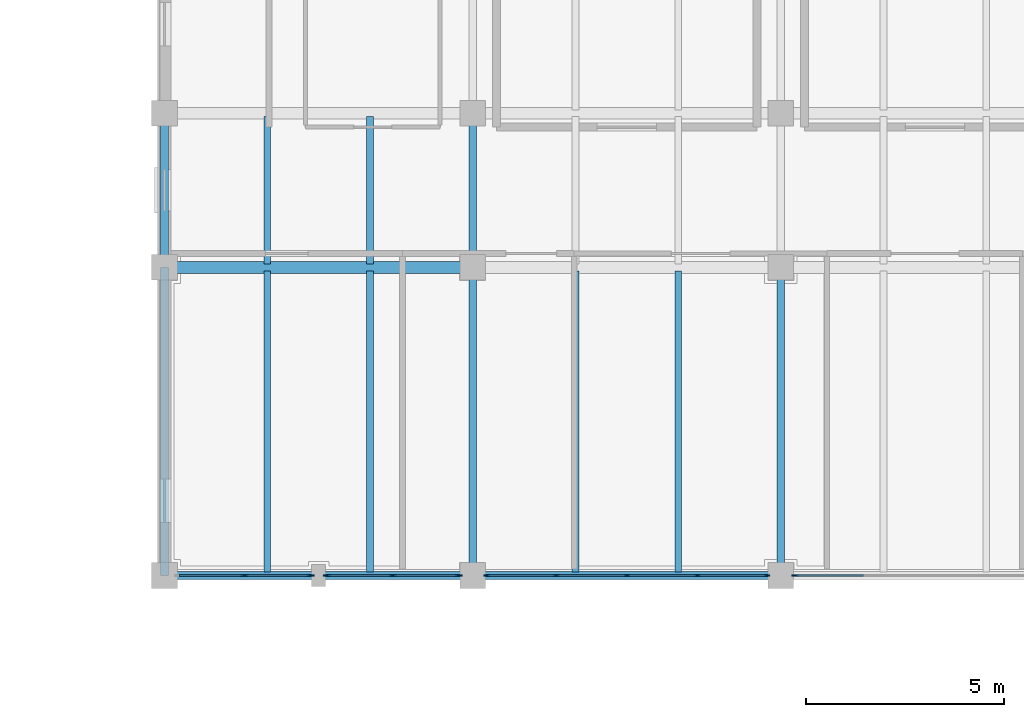
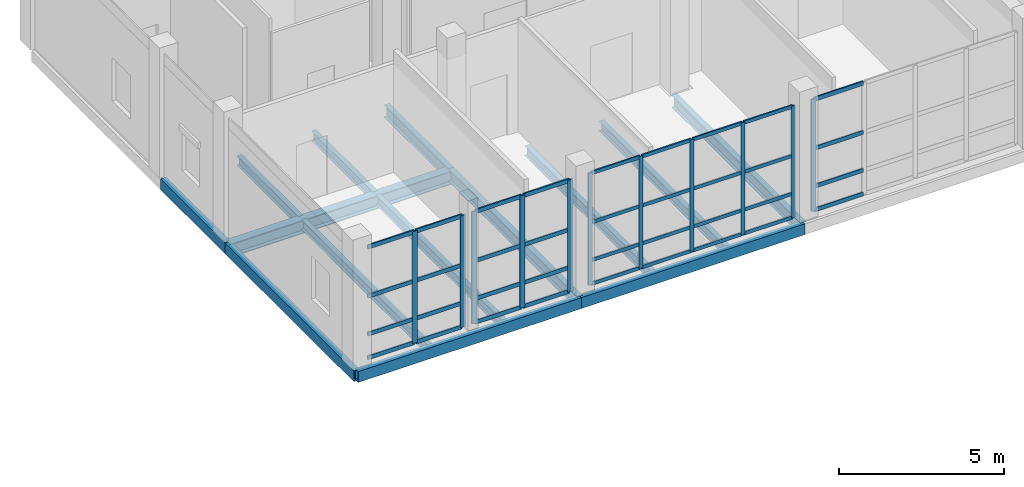
# One storey, part 47 of 131: 47 members, 14 beams, 4 elements without a shape of their own.
"""IFC4 building model written with IfcOpenShell, lengths in metres."""

from ifc_helpers import new_model, si_unit, direction, frame, origin, origin_2d, place, context, subcontext, project, spatial, rectangle, hollow_rectangle, i_section, extrude, material, layer, layer_set, material_profile, profile_set, type_object, element, aggregate, save


model = new_model("IFC4")

# Units and contexts
model_context = context("Model", 3, precision=1e-05, world=origin(), true_north=direction((0.0, 1.0)))
body_context = subcontext(model_context, "Body", "Model", "MODEL_VIEW")
ifc_project = project(units=[si_unit("LENGTHUNIT", "METRE"), si_unit("AREAUNIT", "SQUARE_METRE"), si_unit("VOLUMEUNIT", "CUBIC_METRE"), si_unit("PLANEANGLEUNIT", "RADIAN"), si_unit("MASSUNIT", "GRAM", prefix="KILO")], contexts=[model_context])

# Site, building, storey
site_placement = place(None, origin())
site = spatial("IfcSite", under=ifc_project, at=site_placement, CompositionType="ELEMENT")
building_placement = place(site_placement, origin())
building = spatial("IfcBuilding", under=site, at=building_placement, Name="Celorna Specialist Clinic", CompositionType="ELEMENT")
storey_placement = place(building_placement, origin())
storey = spatial("IfcBuildingStorey", under=building, at=storey_placement, Name="L00", CompositionType="ELEMENT", Elevation=0.0)

# Beams
ifc_material_1 = material(Name="Steel S355", Category="steel")
ifc_material_profile_1 = material_profile(ifc_material_1, i_section(OverallWidth=0.18994140625, OverallDepth=0.449951171875, WebThickness=0.009521484375, FlangeThickness=0.0146484375, at=origin_2d()), Name="IPE 450")
ifc_profile_set_1 = profile_set([ifc_material_profile_1], Name="Steel S355")
beam_type_1 = type_object("IfcBeamType", Name="BM-09", PredefinedType="BEAM", material=ifc_profile_set_1)
beam_1_placement = place(storey_placement, frame((54.60009765625, 96.5, -0.52490234375), z_axis=(0.0, 1.0, 0.0), x_axis=(-1.0, 0.0, 0.0)))
element("IfcBeam", 1, at=beam_1_placement, inside=storey, type_object=beam_type_1, Name="Transverse girder BM-09 #733", PredefinedType="BEAM", context=body_context, shape_type="SweptSolid", body=[
    extrude(i_section(OverallWidth=0.18994140625, OverallDepth=0.449951171875, WebThickness=0.009521484375, FlangeThickness=0.0146484375, at=origin_2d()), origin(), (0.0, 0.0, 1.0), 7.800048828125),
])
beam_2_placement = place(storey_placement, frame((54.60009765625, 104.300048828125, -0.52490234375), z_axis=(0.0, 1.0, 0.0), x_axis=(-1.0, 0.0, 0.0)))
element("IfcBeam", 2, at=beam_2_placement, inside=storey, type_object=beam_type_1, Name="Transverse girder BM-09 #734", PredefinedType="BEAM", context=body_context, shape_type="SweptSolid", body=[
    extrude(i_section(OverallWidth=0.18994140625, OverallDepth=0.449951171875, WebThickness=0.009521484375, FlangeThickness=0.0146484375, at=origin_2d()), origin(), (0.0, 0.0, 1.0), 3.89990234375),
])
beam_3_placement = place(storey_placement, frame((62.39990234375, 96.5, -0.52490234375), z_axis=(0.0, 1.0, 0.0), x_axis=(-1.0, 0.0, 0.0)))
element("IfcBeam", 3, at=beam_3_placement, inside=storey, type_object=beam_type_1, Name="Transverse girder BM-09 #736", PredefinedType="BEAM", context=body_context, shape_type="SweptSolid", body=[
    extrude(i_section(OverallWidth=0.18994140625, OverallDepth=0.449951171875, WebThickness=0.009521484375, FlangeThickness=0.0146484375, at=origin_2d()), origin(), (0.0, 0.0, 1.0), 7.800048828125),
])
ifc_material_profile_2 = material_profile(ifc_material_1, i_section(OverallWidth=0.169921875, OverallDepth=0.360107421875, WebThickness=0.008056640625, FlangeThickness=0.0126953125, at=origin_2d()), Name="IPE 360")
ifc_profile_set_2 = profile_set([ifc_material_profile_2], Name="Steel S355")
beam_type_2 = type_object("IfcBeamType", Name="BM-11", PredefinedType="JOIST", material=ifc_profile_set_2)
for number, where, z_axis, x_axis, name in (
    (4, (49.39990234375, 96.587890625, -0.47998046875), (0.0, 1.0, 0.0), (-1.0, 0.0, 0.0), "Secondary floor joist BM-11 #781"),
    (5, (52.0, 96.587890625, -0.47998046875), (0.0, 1.0, 0.0), (-1.0, 0.0, 0.0), "Secondary floor joist BM-11 #782"),
):
    element("IfcBeam", number, at=place(storey_placement, frame(where, z_axis=z_axis, x_axis=x_axis)), inside=storey, type_object=beam_type_2, Name=name, PredefinedType="JOIST", context=body_context, shape_type="SweptSolid", body=[
        extrude(i_section(OverallWidth=0.169921875, OverallDepth=0.360107421875, WebThickness=0.008056640625, FlangeThickness=0.0126953125, at=origin_2d()), origin(), (0.0, 0.0, 1.0), 7.6240234375),
    ])
for number, where, z_axis, x_axis, name in (
    (6, (49.39990234375, 104.387939453125, -0.47998046875), (0.0, 1.0, 0.0), (-1.0, 0.0, 0.0), "Secondary floor joist BM-11 #783"),
    (7, (52.0, 104.387939453125, -0.47998046875), (0.0, 1.0, 0.0), (-1.0, 0.0, 0.0), "Secondary floor joist BM-11 #784"),
):
    element("IfcBeam", number, at=place(storey_placement, frame(where, z_axis=z_axis, x_axis=x_axis)), inside=storey, type_object=beam_type_2, Name=name, PredefinedType="JOIST", context=body_context, shape_type="SweptSolid", body=[
        extrude(i_section(OverallWidth=0.169921875, OverallDepth=0.360107421875, WebThickness=0.008056640625, FlangeThickness=0.0126953125, at=origin_2d()), origin(), (0.0, 0.0, 1.0), 3.72412109375),
    ])
for number, where, z_axis, x_axis, name in (
    (8, (57.199951171875, 96.587890625, -0.47998046875), (0.0, 1.0, 0.0), (-1.0, 0.0, 0.0), "Secondary floor joist BM-11 #785"),
    (9, (59.800048828125, 96.587890625, -0.47998046875), (0.0, 1.0, 0.0), (-1.0, 0.0, 0.0), "Secondary floor joist BM-11 #786"),
):
    element("IfcBeam", number, at=place(storey_placement, frame(where, z_axis=z_axis, x_axis=x_axis)), inside=storey, type_object=beam_type_2, Name=name, PredefinedType="JOIST", context=body_context, shape_type="SweptSolid", body=[
        extrude(i_section(OverallWidth=0.169921875, OverallDepth=0.360107421875, WebThickness=0.008056640625, FlangeThickness=0.0126953125, at=origin_2d()), origin(), (0.0, 0.0, 1.0), 7.6240234375),
    ])
ifc_material_profile_3 = material_profile(ifc_material_1, hollow_rectangle(XDim=0.199951171875, YDim=0.39990234375, WallThickness=0.011962890625, at=origin_2d()), Name="RHS 200x400x12")
ifc_profile_set_3 = profile_set([ifc_material_profile_3], Name="Steel S355")
beam_type_3 = type_object("IfcBeamType", Name="BM-15", PredefinedType="SPANDREL", material=ifc_profile_set_3)
beam_4_placement = place(storey_placement, frame((46.800048828125, 96.5, -0.5), z_axis=(1.0, 0.0, 0.0), x_axis=(0.0, 1.0, 0.0)))
element("IfcBeam", 10, at=beam_4_placement, inside=storey, type_object=beam_type_3, Name="Spandrel beam BM-15 #666", PredefinedType="SPANDREL", context=body_context, shape_type="SweptSolid", body=[
    extrude(hollow_rectangle(XDim=0.199951171875, YDim=0.39990234375, WallThickness=0.011962890625, at=origin_2d()), origin(), (0.0, 0.0, 1.0), 7.800048828125),
])
beam_5_placement = place(storey_placement, frame((54.60009765625, 96.5, -0.5), z_axis=(1.0, 0.0, 0.0), x_axis=(0.0, 1.0, 0.0)))
element("IfcBeam", 11, at=beam_5_placement, inside=storey, type_object=beam_type_3, Name="Spandrel beam BM-15 #667", PredefinedType="SPANDREL", context=body_context, shape_type="SweptSolid", body=[
    extrude(hollow_rectangle(XDim=0.199951171875, YDim=0.39990234375, WallThickness=0.011962890625, at=origin_2d()), origin(), (0.0, 0.0, 1.0), 7.7998046875),
])
beam_6_placement = place(storey_placement, frame((46.800048828125, 96.5, -0.5), z_axis=(0.0, 1.0, 0.0), x_axis=(-1.0, 0.0, 0.0)))
element("IfcBeam", 12, at=beam_6_placement, inside=storey, type_object=beam_type_3, Name="Spandrel beam BM-15 #730", PredefinedType="SPANDREL", context=body_context, shape_type="SweptSolid", body=[
    extrude(hollow_rectangle(XDim=0.199951171875, YDim=0.39990234375, WallThickness=0.011962890625, at=origin_2d()), origin(), (0.0, 0.0, 1.0), 7.800048828125),
])
beam_7_placement = place(storey_placement, frame((46.800048828125, 104.300048828125, -0.5), z_axis=(0.0, 1.0, 0.0), x_axis=(-1.0, 0.0, 0.0)))
element("IfcBeam", 13, at=beam_7_placement, inside=storey, type_object=beam_type_3, Name="Spandrel beam BM-15 #731", PredefinedType="SPANDREL", context=body_context, shape_type="SweptSolid", body=[
    extrude(hollow_rectangle(XDim=0.199951171875, YDim=0.39990234375, WallThickness=0.011962890625, at=origin_2d()), origin(), (0.0, 0.0, 1.0), 3.89990234375),
])
ifc_material_profile_4 = material_profile(ifc_material_1, i_section(OverallWidth=0.300048828125, OverallDepth=0.489990234375, WebThickness=0.011962890625, FlangeThickness=0.02294921875, at=origin_2d()), Name="HE 500 A")
ifc_profile_set_4 = profile_set([ifc_material_profile_4], Name="Steel S355")
beam_type_4 = type_object("IfcBeamType", Name="BM-22", PredefinedType="BEAM", material=ifc_profile_set_4)
beam_8_placement = place(storey_placement, frame((46.800048828125, 104.300048828125, -0.544921875), z_axis=(1.0, 0.0, 0.0), x_axis=(0.0, 1.0, 0.0)))
element("IfcBeam", 14, at=beam_8_placement, inside=storey, type_object=beam_type_4, Name="Primary girder BM-22 #682", PredefinedType="BEAM", context=body_context, shape_type="SweptSolid", body=[
    extrude(i_section(OverallWidth=0.300048828125, OverallDepth=0.489990234375, WebThickness=0.011962890625, FlangeThickness=0.02294921875, at=origin_2d()), origin(), (0.0, 0.0, 1.0), 7.800048828125),
])

# Curtain wall, member
ifc_material_2 = material(Name="Thermally broken aluminium and solar-control glass curtain wall", Category="aluminium")
ifc_layer_1 = layer(ifc_material_2, 0.159912109375, Name="Thermally broken aluminium and solar-control glass curtain wall")
ifc_layer_set_1 = layer_set([ifc_layer_1], Name="Thermally broken aluminium and solar-control glass curtain wall")
curtain_wall_type_1 = type_object("IfcCurtainWallType", Name="CW-48", PredefinedType="NOTDEFINED", material=ifc_layer_set_1)
curtain_wall_1_placement = place(storey_placement, origin())
curtain_wall_1 = element("IfcCurtainWall", 15, at=curtain_wall_1_placement, inside=storey, type_object=curtain_wall_type_1, Name="Curtain wall CW-48 #89", PredefinedType="NOTDEFINED")
ifc_material_3 = material(Name="Anodized aluminium mullion", Category="aluminium")
ifc_material_profile_5 = material_profile(ifc_material_3, rectangle(XDim=0.050048828125, YDim=0.159912109375, at=origin_2d()), Name="ALU MULLION 50x160")
ifc_profile_set_5 = profile_set([ifc_material_profile_5], Name="Anodized aluminium mullion")
member_type_1 = type_object("IfcMemberType", Name="ML-01", PredefinedType="MULLION", material=ifc_profile_set_5)
member_1_placement = place(storey_placement, frame((62.75390625, 96.5, 0.0), z_axis=(0.0, 0.0, 1.0), x_axis=(0.0, -1.0, 0.0)))
member_1 = element("IfcMember", 16, at=member_1_placement, type_object=member_type_1, Name="CW-48 mullion 5", PredefinedType="MULLION", context=body_context, shape_type="SweptSolid", body=[
    extrude(rectangle(XDim=0.050048828125, YDim=0.159912109375, at=origin_2d()), origin(), (0.0, 0.0, 1.0), 4.139892578125),
])

# Curtain wall, members
ifc_layer_2 = layer(ifc_material_2, 0.159912109375, Name="Thermally broken aluminium and solar-control glass curtain wall")
ifc_layer_set_2 = layer_set([ifc_layer_2], Name="Thermally broken aluminium and solar-control glass curtain wall")
curtain_wall_type_2 = type_object("IfcCurtainWallType", Name="CW-46", PredefinedType="NOTDEFINED", material=ifc_layer_set_2)
curtain_wall_2_placement = place(storey_placement, origin())
curtain_wall_2 = element("IfcCurtainWall", 17, at=curtain_wall_2_placement, inside=storey, type_object=curtain_wall_type_2, Name="Curtain wall CW-46 #86", PredefinedType="NOTDEFINED")
ifc_material_profile_6 = material_profile(ifc_material_3, rectangle(XDim=0.050048828125, YDim=0.179931640625, at=origin_2d()), Name="ALU MULLION 50x180")
ifc_profile_set_6 = profile_set([ifc_material_profile_6], Name="Anodized aluminium mullion")
member_type_2 = type_object("IfcMemberType", Name="ML-02", PredefinedType="MULLION", material=ifc_profile_set_6)
member_2_placement = place(storey_placement, frame((54.24609375, 96.5, 0.0), z_axis=(0.0, 0.0, 1.0), x_axis=(0.0, -1.0, 0.0)))
member_2 = element("IfcMember", 18, at=member_2_placement, type_object=member_type_2, Name="CW-46 mullion 1", PredefinedType="MULLION", context=body_context, shape_type="SweptSolid", body=[
    extrude(rectangle(XDim=0.050048828125, YDim=0.179931640625, at=origin_2d()), origin(), (0.0, 0.0, 1.0), 4.139892578125),
])
member_3_placement = place(storey_placement, frame((52.574951171875, 96.5, 0.0), z_axis=(0.0, 0.0, 1.0), x_axis=(0.0, -1.0, 0.0)))
member_3 = element("IfcMember", 19, at=member_3_placement, type_object=member_type_2, Name="CW-46 mullion 2", PredefinedType="MULLION", context=body_context, shape_type="SweptSolid", body=[
    extrude(rectangle(XDim=0.050048828125, YDim=0.179931640625, at=origin_2d()), origin(), (0.0, 0.0, 1.0), 4.139892578125),
])
member_4_placement = place(storey_placement, frame((50.904052734375, 96.5, 0.0), z_axis=(0.0, 0.0, 1.0), x_axis=(0.0, -1.0, 0.0)))
member_4 = element("IfcMember", 20, at=member_4_placement, type_object=member_type_2, Name="CW-46 mullion 3", PredefinedType="MULLION", context=body_context, shape_type="SweptSolid", body=[
    extrude(rectangle(XDim=0.050048828125, YDim=0.179931640625, at=origin_2d()), origin(), (0.0, 0.0, 1.0), 4.139892578125),
])

curtain_wall_3_placement = place(storey_placement, origin())
curtain_wall_3 = element("IfcCurtainWall", 21, at=curtain_wall_3_placement, inside=storey, type_object=curtain_wall_type_2, Name="Curtain wall CW-46 #87", PredefinedType="NOTDEFINED")
member_5_placement = place(storey_placement, frame((50.49609375, 96.5, 0.0), z_axis=(0.0, 0.0, 1.0), x_axis=(0.0, -1.0, 0.0)))
member_5 = element("IfcMember", 22, at=member_5_placement, type_object=member_type_2, Name="CW-46 mullion 1", PredefinedType="MULLION", context=body_context, shape_type="SweptSolid", body=[
    extrude(rectangle(XDim=0.050048828125, YDim=0.179931640625, at=origin_2d()), origin(), (0.0, 0.0, 1.0), 4.139892578125),
])
member_6_placement = place(storey_placement, frame((48.824951171875, 96.5, 0.0), z_axis=(0.0, 0.0, 1.0), x_axis=(0.0, -1.0, 0.0)))
member_6 = element("IfcMember", 23, at=member_6_placement, type_object=member_type_2, Name="CW-46 mullion 2", PredefinedType="MULLION", context=body_context, shape_type="SweptSolid", body=[
    extrude(rectangle(XDim=0.050048828125, YDim=0.179931640625, at=origin_2d()), origin(), (0.0, 0.0, 1.0), 4.139892578125),
])

ifc_layer_3 = layer(ifc_material_2, 0.159912109375, Name="Thermally broken aluminium and solar-control glass curtain wall")
ifc_layer_set_3 = layer_set([ifc_layer_3], Name="Thermally broken aluminium and solar-control glass curtain wall")
curtain_wall_type_3 = type_object("IfcCurtainWallType", Name="CW-47", PredefinedType="NOTDEFINED", material=ifc_layer_set_3)
curtain_wall_4_placement = place(storey_placement, origin())
curtain_wall_4 = element("IfcCurtainWall", 24, at=curtain_wall_4_placement, inside=storey, type_object=curtain_wall_type_3, Name="Curtain wall CW-47 #88", PredefinedType="NOTDEFINED")
ifc_material_profile_7 = material_profile(ifc_material_3, rectangle(XDim=0.050048828125, YDim=0.139892578125, at=origin_2d()), Name="ALU MULLION 50x140")
ifc_profile_set_7 = profile_set([ifc_material_profile_7], Name="Anodized aluminium mullion")
member_type_3 = type_object("IfcMemberType", Name="ML-03", PredefinedType="MULLION", material=ifc_profile_set_7)
member_7_placement = place(storey_placement, frame((62.0458984375, 96.5, 0.0), z_axis=(0.0, 0.0, 1.0), x_axis=(0.0, -1.0, 0.0)))
member_7 = element("IfcMember", 25, at=member_7_placement, type_object=member_type_3, Name="CW-47 mullion 1", PredefinedType="MULLION", context=body_context, shape_type="SweptSolid", body=[
    extrude(rectangle(XDim=0.050048828125, YDim=0.139892578125, at=origin_2d()), origin(), (0.0, 0.0, 1.0), 4.139892578125),
])
member_8_placement = place(storey_placement, frame((60.285400390625, 96.5, 0.0), z_axis=(0.0, 0.0, 1.0), x_axis=(0.0, -1.0, 0.0)))
member_8 = element("IfcMember", 26, at=member_8_placement, type_object=member_type_3, Name="CW-47 mullion 2", PredefinedType="MULLION", context=body_context, shape_type="SweptSolid", body=[
    extrude(rectangle(XDim=0.050048828125, YDim=0.139892578125, at=origin_2d()), origin(), (0.0, 0.0, 1.0), 4.139892578125),
])
member_9_placement = place(storey_placement, frame((58.5, 96.5, 0.0), z_axis=(0.0, 0.0, 1.0), x_axis=(0.0, -1.0, 0.0)))
member_9 = element("IfcMember", 27, at=member_9_placement, type_object=member_type_3, Name="CW-47 mullion 3", PredefinedType="MULLION", context=body_context, shape_type="SweptSolid", body=[
    extrude(rectangle(XDim=0.050048828125, YDim=0.139892578125, at=origin_2d()), origin(), (0.0, 0.0, 1.0), 4.139892578125),
])
member_10_placement = place(storey_placement, frame((56.714599609375, 96.5, 0.0), z_axis=(0.0, 0.0, 1.0), x_axis=(0.0, -1.0, 0.0)))
member_10 = element("IfcMember", 28, at=member_10_placement, type_object=member_type_3, Name="CW-47 mullion 4", PredefinedType="MULLION", context=body_context, shape_type="SweptSolid", body=[
    extrude(rectangle(XDim=0.050048828125, YDim=0.139892578125, at=origin_2d()), origin(), (0.0, 0.0, 1.0), 4.139892578125),
])
member_11_placement = place(storey_placement, frame((54.9541015625, 96.5, 0.0), z_axis=(0.0, 0.0, 1.0), x_axis=(0.0, -1.0, 0.0)))
member_11 = element("IfcMember", 29, at=member_11_placement, type_object=member_type_3, Name="CW-47 mullion 5", PredefinedType="MULLION", context=body_context, shape_type="SweptSolid", body=[
    extrude(rectangle(XDim=0.050048828125, YDim=0.139892578125, at=origin_2d()), origin(), (0.0, 0.0, 1.0), 4.139892578125),
])
ifc_material_4 = material(Name="Anodized aluminium transom", Category="aluminium")
ifc_material_profile_8 = material_profile(ifc_material_4, rectangle(XDim=0.050048828125, YDim=0.1298828125, at=origin_2d()), Name="ALU TRANSOM 50x130")
ifc_profile_set_8 = profile_set([ifc_material_profile_8], Name="Anodized aluminium transom")
member_type_4 = type_object("IfcMemberType", Name="TR-01", PredefinedType="USERDEFINED", material=ifc_profile_set_8)
member_12_placement = place(storey_placement, frame((62.02099609375, 96.5, 0.02490234375), z_axis=(-1.0, 0.0, 0.0), x_axis=(0.0, -1.0, 0.0)))
member_12 = element("IfcMember", 30, at=member_12_placement, type_object=member_type_4, Name="CW-47 transom 1.1", ObjectType="TRANSOM", PredefinedType="USERDEFINED", context=body_context, shape_type="SweptSolid", body=[
    extrude(rectangle(XDim=0.050048828125, YDim=0.1298828125, at=origin_2d()), origin(), (0.0, 0.0, 1.0), 1.71044921875),
])
member_13_placement = place(storey_placement, frame((62.02099609375, 96.5, 0.89990234375), z_axis=(-1.0, 0.0, 0.0), x_axis=(0.0, -1.0, 0.0)))
member_13 = element("IfcMember", 31, at=member_13_placement, type_object=member_type_4, Name="CW-47 transom 1.2", ObjectType="TRANSOM", PredefinedType="USERDEFINED", context=body_context, shape_type="SweptSolid", body=[
    extrude(rectangle(XDim=0.050048828125, YDim=0.1298828125, at=origin_2d()), origin(), (0.0, 0.0, 1.0), 1.71044921875),
])
member_14_placement = place(storey_placement, frame((62.02099609375, 96.5, 2.300048828125), z_axis=(-1.0, 0.0, 0.0), x_axis=(0.0, -1.0, 0.0)))
member_14 = element("IfcMember", 32, at=member_14_placement, type_object=member_type_4, Name="CW-47 transom 1.3", ObjectType="TRANSOM", PredefinedType="USERDEFINED", context=body_context, shape_type="SweptSolid", body=[
    extrude(rectangle(XDim=0.050048828125, YDim=0.1298828125, at=origin_2d()), origin(), (0.0, 0.0, 1.0), 1.71044921875),
])
member_15_placement = place(storey_placement, frame((62.02099609375, 96.5, 4.114990234375), z_axis=(-1.0, 0.0, 0.0), x_axis=(0.0, -1.0, 0.0)))
member_15 = element("IfcMember", 33, at=member_15_placement, type_object=member_type_4, Name="CW-47 transom 1.4", ObjectType="TRANSOM", PredefinedType="USERDEFINED", context=body_context, shape_type="SweptSolid", body=[
    extrude(rectangle(XDim=0.050048828125, YDim=0.1298828125, at=origin_2d()), origin(), (0.0, 0.0, 1.0), 1.71044921875),
])
member_16_placement = place(storey_placement, frame((60.260498046875, 96.5, 0.02490234375), z_axis=(-1.0, 0.0, 0.0), x_axis=(0.0, -1.0, 0.0)))
member_16 = element("IfcMember", 34, at=member_16_placement, type_object=member_type_4, Name="CW-47 transom 2.1", ObjectType="TRANSOM", PredefinedType="USERDEFINED", context=body_context, shape_type="SweptSolid", body=[
    extrude(rectangle(XDim=0.050048828125, YDim=0.1298828125, at=origin_2d()), origin(), (0.0, 0.0, 1.0), 1.735595703125),
])
member_17_placement = place(storey_placement, frame((60.260498046875, 96.5, 0.89990234375), z_axis=(-1.0, 0.0, 0.0), x_axis=(0.0, -1.0, 0.0)))
member_17 = element("IfcMember", 35, at=member_17_placement, type_object=member_type_4, Name="CW-47 transom 2.2", ObjectType="TRANSOM", PredefinedType="USERDEFINED", context=body_context, shape_type="SweptSolid", body=[
    extrude(rectangle(XDim=0.050048828125, YDim=0.1298828125, at=origin_2d()), origin(), (0.0, 0.0, 1.0), 1.735595703125),
])
member_18_placement = place(storey_placement, frame((60.260498046875, 96.5, 2.300048828125), z_axis=(-1.0, 0.0, 0.0), x_axis=(0.0, -1.0, 0.0)))
member_18 = element("IfcMember", 36, at=member_18_placement, type_object=member_type_4, Name="CW-47 transom 2.3", ObjectType="TRANSOM", PredefinedType="USERDEFINED", context=body_context, shape_type="SweptSolid", body=[
    extrude(rectangle(XDim=0.050048828125, YDim=0.1298828125, at=origin_2d()), origin(), (0.0, 0.0, 1.0), 1.735595703125),
])
member_19_placement = place(storey_placement, frame((60.260498046875, 96.5, 4.114990234375), z_axis=(-1.0, 0.0, 0.0), x_axis=(0.0, -1.0, 0.0)))
member_19 = element("IfcMember", 37, at=member_19_placement, type_object=member_type_4, Name="CW-47 transom 2.4", ObjectType="TRANSOM", PredefinedType="USERDEFINED", context=body_context, shape_type="SweptSolid", body=[
    extrude(rectangle(XDim=0.050048828125, YDim=0.1298828125, at=origin_2d()), origin(), (0.0, 0.0, 1.0), 1.735595703125),
])
member_20_placement = place(storey_placement, frame((58.47509765625, 96.5, 0.02490234375), z_axis=(-1.0, 0.0, 0.0), x_axis=(0.0, -1.0, 0.0)))
member_20 = element("IfcMember", 38, at=member_20_placement, type_object=member_type_4, Name="CW-47 transom 3.1", ObjectType="TRANSOM", PredefinedType="USERDEFINED", context=body_context, shape_type="SweptSolid", body=[
    extrude(rectangle(XDim=0.050048828125, YDim=0.1298828125, at=origin_2d()), origin(), (0.0, 0.0, 1.0), 1.735595703125),
])
member_21_placement = place(storey_placement, frame((58.47509765625, 96.5, 0.89990234375), z_axis=(-1.0, 0.0, 0.0), x_axis=(0.0, -1.0, 0.0)))
member_21 = element("IfcMember", 39, at=member_21_placement, type_object=member_type_4, Name="CW-47 transom 3.2", ObjectType="TRANSOM", PredefinedType="USERDEFINED", context=body_context, shape_type="SweptSolid", body=[
    extrude(rectangle(XDim=0.050048828125, YDim=0.1298828125, at=origin_2d()), origin(), (0.0, 0.0, 1.0), 1.735595703125),
])
member_22_placement = place(storey_placement, frame((58.47509765625, 96.5, 2.300048828125), z_axis=(-1.0, 0.0, 0.0), x_axis=(0.0, -1.0, 0.0)))
member_22 = element("IfcMember", 40, at=member_22_placement, type_object=member_type_4, Name="CW-47 transom 3.3", ObjectType="TRANSOM", PredefinedType="USERDEFINED", context=body_context, shape_type="SweptSolid", body=[
    extrude(rectangle(XDim=0.050048828125, YDim=0.1298828125, at=origin_2d()), origin(), (0.0, 0.0, 1.0), 1.735595703125),
])
member_23_placement = place(storey_placement, frame((58.47509765625, 96.5, 4.114990234375), z_axis=(-1.0, 0.0, 0.0), x_axis=(0.0, -1.0, 0.0)))
member_23 = element("IfcMember", 41, at=member_23_placement, type_object=member_type_4, Name="CW-47 transom 3.4", ObjectType="TRANSOM", PredefinedType="USERDEFINED", context=body_context, shape_type="SweptSolid", body=[
    extrude(rectangle(XDim=0.050048828125, YDim=0.1298828125, at=origin_2d()), origin(), (0.0, 0.0, 1.0), 1.735595703125),
])
member_24_placement = place(storey_placement, frame((56.689453125, 96.5, 0.02490234375), z_axis=(-1.0, 0.0, 0.0), x_axis=(0.0, -1.0, 0.0)))
member_24 = element("IfcMember", 42, at=member_24_placement, type_object=member_type_4, Name="CW-47 transom 4.1", ObjectType="TRANSOM", PredefinedType="USERDEFINED", context=body_context, shape_type="SweptSolid", body=[
    extrude(rectangle(XDim=0.050048828125, YDim=0.1298828125, at=origin_2d()), origin(), (0.0, 0.0, 1.0), 1.71044921875),
])
member_25_placement = place(storey_placement, frame((56.689453125, 96.5, 0.89990234375), z_axis=(-1.0, 0.0, 0.0), x_axis=(0.0, -1.0, 0.0)))
member_25 = element("IfcMember", 43, at=member_25_placement, type_object=member_type_4, Name="CW-47 transom 4.2", ObjectType="TRANSOM", PredefinedType="USERDEFINED", context=body_context, shape_type="SweptSolid", body=[
    extrude(rectangle(XDim=0.050048828125, YDim=0.1298828125, at=origin_2d()), origin(), (0.0, 0.0, 1.0), 1.71044921875),
])
member_26_placement = place(storey_placement, frame((56.689453125, 96.5, 2.300048828125), z_axis=(-1.0, 0.0, 0.0), x_axis=(0.0, -1.0, 0.0)))
member_26 = element("IfcMember", 44, at=member_26_placement, type_object=member_type_4, Name="CW-47 transom 4.3", ObjectType="TRANSOM", PredefinedType="USERDEFINED", context=body_context, shape_type="SweptSolid", body=[
    extrude(rectangle(XDim=0.050048828125, YDim=0.1298828125, at=origin_2d()), origin(), (0.0, 0.0, 1.0), 1.71044921875),
])
member_27_placement = place(storey_placement, frame((56.689453125, 96.5, 4.114990234375), z_axis=(-1.0, 0.0, 0.0), x_axis=(0.0, -1.0, 0.0)))
member_27 = element("IfcMember", 45, at=member_27_placement, type_object=member_type_4, Name="CW-47 transom 4.4", ObjectType="TRANSOM", PredefinedType="USERDEFINED", context=body_context, shape_type="SweptSolid", body=[
    extrude(rectangle(XDim=0.050048828125, YDim=0.1298828125, at=origin_2d()), origin(), (0.0, 0.0, 1.0), 1.71044921875),
])
aggregate(curtain_wall_4, [member_7, member_8, member_9, member_10, member_11, member_12, member_13, member_14, member_15, member_16, member_17, member_18, member_19, member_20, member_21, member_22, member_23, member_24, member_25, member_26, member_27])

# Member
ifc_material_profile_9 = material_profile(ifc_material_4, rectangle(XDim=0.050048828125, YDim=0.14990234375, at=origin_2d()), Name="ALU TRANSOM 50x150")
ifc_profile_set_9 = profile_set([ifc_material_profile_9], Name="Anodized aluminium transom")
member_type_5 = type_object("IfcMemberType", Name="TR-02", PredefinedType="USERDEFINED", material=ifc_profile_set_9)
member_28_placement = place(storey_placement, frame((54.220947265625, 96.5, 0.02490234375), z_axis=(-1.0, 0.0, 0.0), x_axis=(0.0, -1.0, 0.0)))
member_28 = element("IfcMember", 46, at=member_28_placement, type_object=member_type_5, Name="CW-46 transom 1.1", ObjectType="TRANSOM", PredefinedType="USERDEFINED", context=body_context, shape_type="SweptSolid", body=[
    extrude(rectangle(XDim=0.050048828125, YDim=0.14990234375, at=origin_2d()), origin(), (0.0, 0.0, 1.0), 1.620849609375),
])

member_29_placement = place(storey_placement, frame((54.220947265625, 96.5, 0.89990234375), z_axis=(-1.0, 0.0, 0.0), x_axis=(0.0, -1.0, 0.0)))
member_29 = element("IfcMember", 47, at=member_29_placement, type_object=member_type_5, Name="CW-46 transom 1.2", ObjectType="TRANSOM", PredefinedType="USERDEFINED", context=body_context, shape_type="SweptSolid", body=[
    extrude(rectangle(XDim=0.050048828125, YDim=0.14990234375, at=origin_2d()), origin(), (0.0, 0.0, 1.0), 1.620849609375),
])

member_30_placement = place(storey_placement, frame((54.220947265625, 96.5, 2.300048828125), z_axis=(-1.0, 0.0, 0.0), x_axis=(0.0, -1.0, 0.0)))
member_30 = element("IfcMember", 48, at=member_30_placement, type_object=member_type_5, Name="CW-46 transom 1.3", ObjectType="TRANSOM", PredefinedType="USERDEFINED", context=body_context, shape_type="SweptSolid", body=[
    extrude(rectangle(XDim=0.050048828125, YDim=0.14990234375, at=origin_2d()), origin(), (0.0, 0.0, 1.0), 1.620849609375),
])

member_31_placement = place(storey_placement, frame((54.220947265625, 96.5, 4.114990234375), z_axis=(-1.0, 0.0, 0.0), x_axis=(0.0, -1.0, 0.0)))
member_31 = element("IfcMember", 49, at=member_31_placement, type_object=member_type_5, Name="CW-46 transom 1.4", ObjectType="TRANSOM", PredefinedType="USERDEFINED", context=body_context, shape_type="SweptSolid", body=[
    extrude(rectangle(XDim=0.050048828125, YDim=0.14990234375, at=origin_2d()), origin(), (0.0, 0.0, 1.0), 1.620849609375),
])

member_32_placement = place(storey_placement, frame((52.550048828125, 96.5, 0.02490234375), z_axis=(-1.0, 0.0, 0.0), x_axis=(0.0, -1.0, 0.0)))
member_32 = element("IfcMember", 50, at=member_32_placement, type_object=member_type_5, Name="CW-46 transom 2.1", ObjectType="TRANSOM", PredefinedType="USERDEFINED", context=body_context, shape_type="SweptSolid", body=[
    extrude(rectangle(XDim=0.050048828125, YDim=0.14990234375, at=origin_2d()), origin(), (0.0, 0.0, 1.0), 1.62109375),
])

member_33_placement = place(storey_placement, frame((52.550048828125, 96.5, 0.89990234375), z_axis=(-1.0, 0.0, 0.0), x_axis=(0.0, -1.0, 0.0)))
member_33 = element("IfcMember", 51, at=member_33_placement, type_object=member_type_5, Name="CW-46 transom 2.2", ObjectType="TRANSOM", PredefinedType="USERDEFINED", context=body_context, shape_type="SweptSolid", body=[
    extrude(rectangle(XDim=0.050048828125, YDim=0.14990234375, at=origin_2d()), origin(), (0.0, 0.0, 1.0), 1.62109375),
])

member_34_placement = place(storey_placement, frame((52.550048828125, 96.5, 2.300048828125), z_axis=(-1.0, 0.0, 0.0), x_axis=(0.0, -1.0, 0.0)))
member_34 = element("IfcMember", 52, at=member_34_placement, type_object=member_type_5, Name="CW-46 transom 2.3", ObjectType="TRANSOM", PredefinedType="USERDEFINED", context=body_context, shape_type="SweptSolid", body=[
    extrude(rectangle(XDim=0.050048828125, YDim=0.14990234375, at=origin_2d()), origin(), (0.0, 0.0, 1.0), 1.62109375),
])

member_35_placement = place(storey_placement, frame((52.550048828125, 96.5, 4.114990234375), z_axis=(-1.0, 0.0, 0.0), x_axis=(0.0, -1.0, 0.0)))
member_35 = element("IfcMember", 53, at=member_35_placement, type_object=member_type_5, Name="CW-46 transom 2.4", ObjectType="TRANSOM", PredefinedType="USERDEFINED", context=body_context, shape_type="SweptSolid", body=[
    extrude(rectangle(XDim=0.050048828125, YDim=0.14990234375, at=origin_2d()), origin(), (0.0, 0.0, 1.0), 1.62109375),
])

aggregate(curtain_wall_2, [member_2, member_3, member_4, member_28, member_29, member_30, member_31, member_32, member_33, member_34, member_35])

member_36_placement = place(storey_placement, frame((50.470947265625, 96.5, 0.02490234375), z_axis=(-1.0, 0.0, 0.0), x_axis=(0.0, -1.0, 0.0)))
member_36 = element("IfcMember", 54, at=member_36_placement, type_object=member_type_5, Name="CW-46 transom 1.1", ObjectType="TRANSOM", PredefinedType="USERDEFINED", context=body_context, shape_type="SweptSolid", body=[
    extrude(rectangle(XDim=0.050048828125, YDim=0.14990234375, at=origin_2d()), origin(), (0.0, 0.0, 1.0), 1.620849609375),
])

member_37_placement = place(storey_placement, frame((50.470947265625, 96.5, 0.89990234375), z_axis=(-1.0, 0.0, 0.0), x_axis=(0.0, -1.0, 0.0)))
member_37 = element("IfcMember", 55, at=member_37_placement, type_object=member_type_5, Name="CW-46 transom 1.2", ObjectType="TRANSOM", PredefinedType="USERDEFINED", context=body_context, shape_type="SweptSolid", body=[
    extrude(rectangle(XDim=0.050048828125, YDim=0.14990234375, at=origin_2d()), origin(), (0.0, 0.0, 1.0), 1.620849609375),
])

member_38_placement = place(storey_placement, frame((50.470947265625, 96.5, 2.300048828125), z_axis=(-1.0, 0.0, 0.0), x_axis=(0.0, -1.0, 0.0)))
member_38 = element("IfcMember", 56, at=member_38_placement, type_object=member_type_5, Name="CW-46 transom 1.3", ObjectType="TRANSOM", PredefinedType="USERDEFINED", context=body_context, shape_type="SweptSolid", body=[
    extrude(rectangle(XDim=0.050048828125, YDim=0.14990234375, at=origin_2d()), origin(), (0.0, 0.0, 1.0), 1.620849609375),
])

member_39_placement = place(storey_placement, frame((50.470947265625, 96.5, 4.114990234375), z_axis=(-1.0, 0.0, 0.0), x_axis=(0.0, -1.0, 0.0)))
member_39 = element("IfcMember", 57, at=member_39_placement, type_object=member_type_5, Name="CW-46 transom 1.4", ObjectType="TRANSOM", PredefinedType="USERDEFINED", context=body_context, shape_type="SweptSolid", body=[
    extrude(rectangle(XDim=0.050048828125, YDim=0.14990234375, at=origin_2d()), origin(), (0.0, 0.0, 1.0), 1.620849609375),
])

member_40_placement = place(storey_placement, frame((48.800048828125, 96.5, 0.02490234375), z_axis=(-1.0, 0.0, 0.0), x_axis=(0.0, -1.0, 0.0)))
member_40 = element("IfcMember", 58, at=member_40_placement, type_object=member_type_5, Name="CW-46 transom 2.1", ObjectType="TRANSOM", PredefinedType="USERDEFINED", context=body_context, shape_type="SweptSolid", body=[
    extrude(rectangle(XDim=0.050048828125, YDim=0.14990234375, at=origin_2d()), origin(), (0.0, 0.0, 1.0), 1.62109375),
])

member_41_placement = place(storey_placement, frame((48.800048828125, 96.5, 0.89990234375), z_axis=(-1.0, 0.0, 0.0), x_axis=(0.0, -1.0, 0.0)))
member_41 = element("IfcMember", 59, at=member_41_placement, type_object=member_type_5, Name="CW-46 transom 2.2", ObjectType="TRANSOM", PredefinedType="USERDEFINED", context=body_context, shape_type="SweptSolid", body=[
    extrude(rectangle(XDim=0.050048828125, YDim=0.14990234375, at=origin_2d()), origin(), (0.0, 0.0, 1.0), 1.62109375),
])

member_42_placement = place(storey_placement, frame((48.800048828125, 96.5, 2.300048828125), z_axis=(-1.0, 0.0, 0.0), x_axis=(0.0, -1.0, 0.0)))
member_42 = element("IfcMember", 60, at=member_42_placement, type_object=member_type_5, Name="CW-46 transom 2.3", ObjectType="TRANSOM", PredefinedType="USERDEFINED", context=body_context, shape_type="SweptSolid", body=[
    extrude(rectangle(XDim=0.050048828125, YDim=0.14990234375, at=origin_2d()), origin(), (0.0, 0.0, 1.0), 1.62109375),
])

member_43_placement = place(storey_placement, frame((48.800048828125, 96.5, 4.114990234375), z_axis=(-1.0, 0.0, 0.0), x_axis=(0.0, -1.0, 0.0)))
member_43 = element("IfcMember", 61, at=member_43_placement, type_object=member_type_5, Name="CW-46 transom 2.4", ObjectType="TRANSOM", PredefinedType="USERDEFINED", context=body_context, shape_type="SweptSolid", body=[
    extrude(rectangle(XDim=0.050048828125, YDim=0.14990234375, at=origin_2d()), origin(), (0.0, 0.0, 1.0), 1.62109375),
])

aggregate(curtain_wall_3, [member_5, member_6, member_36, member_37, member_38, member_39, member_40, member_41, member_42, member_43])

member_44_placement = place(storey_placement, frame((64.489501953125, 96.5, 0.02490234375), z_axis=(-1.0, 0.0, 0.0), x_axis=(0.0, -1.0, 0.0)))
member_44 = element("IfcMember", 62, at=member_44_placement, type_object=member_type_5, Name="CW-48 transom 4.1", ObjectType="TRANSOM", PredefinedType="USERDEFINED", context=body_context, shape_type="SweptSolid", body=[
    extrude(rectangle(XDim=0.050048828125, YDim=0.14990234375, at=origin_2d()), origin(), (0.0, 0.0, 1.0), 1.71044921875),
])

member_45_placement = place(storey_placement, frame((64.489501953125, 96.5, 0.89990234375), z_axis=(-1.0, 0.0, 0.0), x_axis=(0.0, -1.0, 0.0)))
member_45 = element("IfcMember", 63, at=member_45_placement, type_object=member_type_5, Name="CW-48 transom 4.2", ObjectType="TRANSOM", PredefinedType="USERDEFINED", context=body_context, shape_type="SweptSolid", body=[
    extrude(rectangle(XDim=0.050048828125, YDim=0.14990234375, at=origin_2d()), origin(), (0.0, 0.0, 1.0), 1.71044921875),
])

member_46_placement = place(storey_placement, frame((64.489501953125, 96.5, 2.300048828125), z_axis=(-1.0, 0.0, 0.0), x_axis=(0.0, -1.0, 0.0)))
member_46 = element("IfcMember", 64, at=member_46_placement, type_object=member_type_5, Name="CW-48 transom 4.3", ObjectType="TRANSOM", PredefinedType="USERDEFINED", context=body_context, shape_type="SweptSolid", body=[
    extrude(rectangle(XDim=0.050048828125, YDim=0.14990234375, at=origin_2d()), origin(), (0.0, 0.0, 1.0), 1.71044921875),
])

member_47_placement = place(storey_placement, frame((64.489501953125, 96.5, 4.114990234375), z_axis=(-1.0, 0.0, 0.0), x_axis=(0.0, -1.0, 0.0)))
member_47 = element("IfcMember", 65, at=member_47_placement, type_object=member_type_5, Name="CW-48 transom 4.4", ObjectType="TRANSOM", PredefinedType="USERDEFINED", context=body_context, shape_type="SweptSolid", body=[
    extrude(rectangle(XDim=0.050048828125, YDim=0.14990234375, at=origin_2d()), origin(), (0.0, 0.0, 1.0), 1.71044921875),
])

aggregate(curtain_wall_1, [member_1, member_44, member_45, member_46, member_47])

save(model, "model.ifc")
